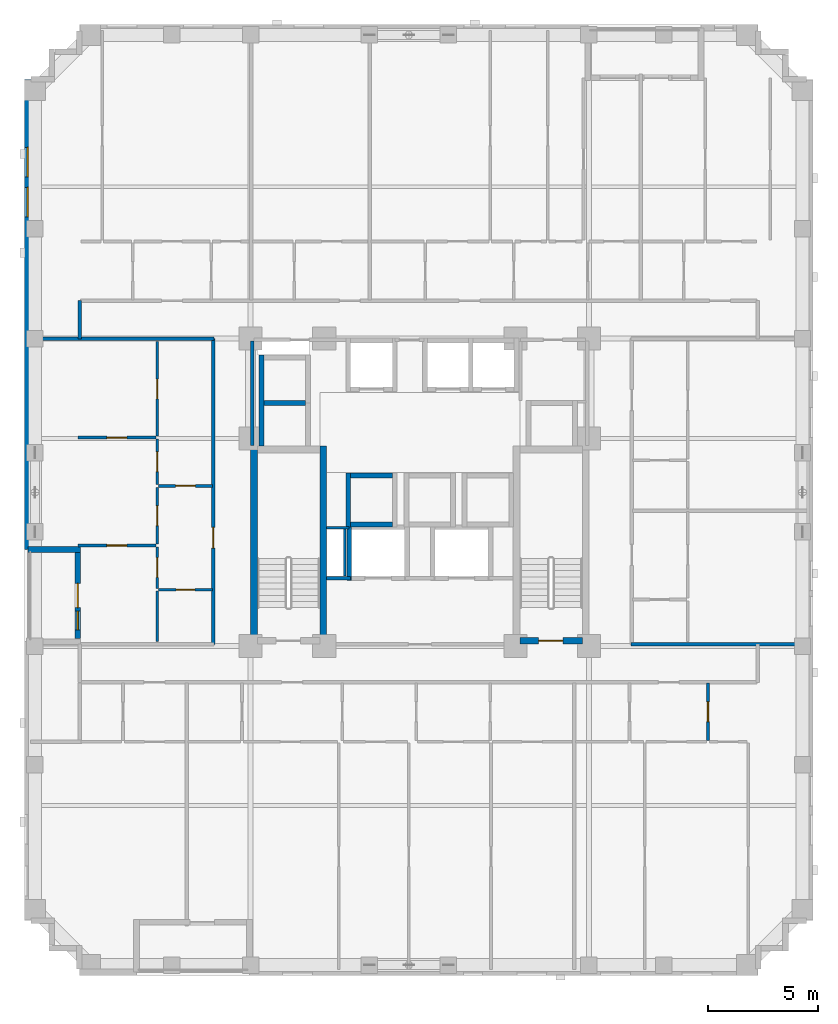
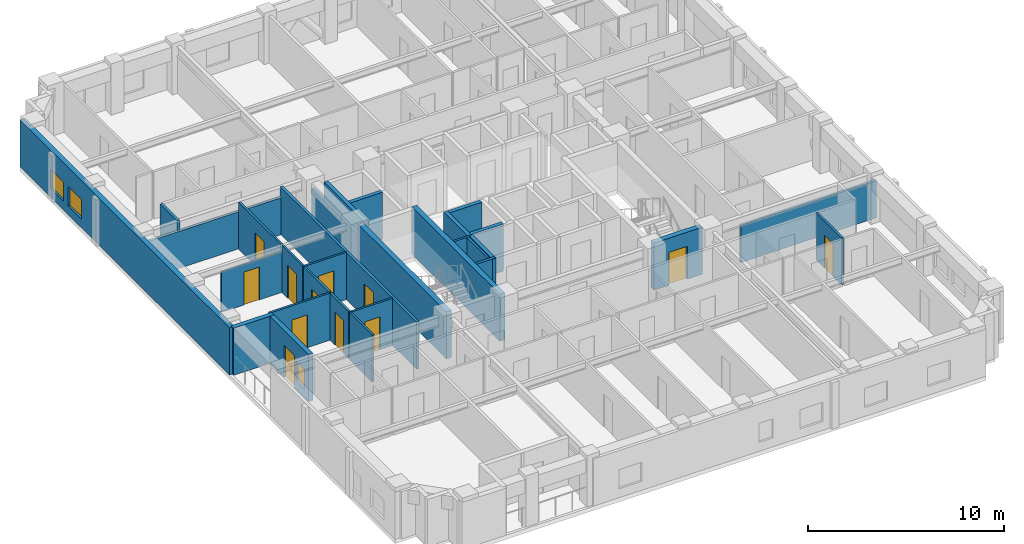
# One storey, part 4 of 12: 30 walls, 12 doors, 3 windows, 15 openings.
"""IFC4 building model written with IfcOpenShell, lengths in metres."""

from ifc_helpers import new_model, si_unit, derived_unit, direction, frame, frame_2d, origin, place, context, subcontext, project, spatial, rectangle, extrude, material, layer, layer_set, type_object, element, fill, save


model = new_model("IFC4")

# Units and contexts
model_context = context("Model", 3, precision=1e-05, world=origin(), true_north=direction((0.0, 1.0)))
body_context = subcontext(model_context, "Body", "Model", "MODEL_VIEW")
ifc_project = project(units=[si_unit("LENGTHUNIT", "METRE"), si_unit("AREAUNIT", "SQUARE_METRE"), si_unit("VOLUMEUNIT", "CUBIC_METRE"), si_unit("PLANEANGLEUNIT", "RADIAN"), si_unit("MASSUNIT", "GRAM", prefix="KILO"), derived_unit("THERMALTRANSMITTANCEUNIT", [(si_unit("MASSUNIT", "GRAM", prefix="KILO"), 1), (si_unit("TIMEUNIT", "SECOND"), -3), (si_unit("THERMODYNAMICTEMPERATUREUNIT", "KELVIN"), -1)])], contexts=[model_context])

# Site, building, storey
site_placement = place(None, origin())
site = spatial("IfcSite", under=ifc_project, at=site_placement, CompositionType="ELEMENT")
building_placement = place(site_placement, origin())
building = spatial("IfcBuilding", under=site, at=building_placement, Name="Korrvale Station Residences", CompositionType="ELEMENT")
storey_placement = place(building_placement, frame((0.0, 0.0, 107.10009765625)))
storey = spatial("IfcBuildingStorey", under=building, at=storey_placement, Name="L30", CompositionType="ELEMENT", Elevation=107.10009765625)

# Walls
ifc_material_1 = material(Name="Concrete C60/75", Category="concrete")
ifc_layer_1 = layer(ifc_material_1, 0.300048828125, Name="Concrete C60/75")
ifc_layer_set_1 = layer_set([ifc_layer_1], Name="Concrete C60/75")
wall_type_1 = type_object("IfcWallType", Name="WAL-CORE-300-C60", PredefinedType="SHEAR", material=ifc_layer_set_1)
for number, where, z_axis, x_axis, name in (
    (1, (17.949951171875, 15.10009765625, 0.0), (0.0, 0.0, 1.0), (0.0, 1.0, 0.0), "L30 ST-1 Core Shear Wall West"),
    (2, (21.10009765625, 15.10009765625, 0.0), (0.0, 0.0, 1.0), (0.0, 1.0, 0.0), "L30 ST-1 Core Shear Wall East"),
):
    element("IfcWall", number, at=place(storey_placement, frame(where, z_axis=z_axis, x_axis=x_axis)), inside=storey, type_object=wall_type_1, Name=name, PredefinedType="SHEAR", context=body_context, shape_type="SweptSolid", body=[
        extrude(rectangle(XDim=9.0, YDim=0.300048828125, at=frame_2d((4.5, 0.0))), origin(), (0.0, 0.0, 1.0), 2.93994140625),
    ])

# Wall, opening, door
wall_1_placement = place(storey_placement, frame((30.050048828125, 15.25, 0.0), z_axis=(0.0, 0.0, 1.0), x_axis=(1.0, 0.0, 0.0)))
wall_1 = element("IfcWall", 3, at=wall_1_placement, inside=storey, type_object=wall_type_1, Name="L30 ST-2 Core Shear Wall South", PredefinedType="SHEAR", context=body_context, shape_type="SweptSolid", body=[
    extrude(rectangle(XDim=2.849853515625, YDim=0.300048828125, at=frame_2d((1.4248046875, 0.0))), origin(), (0.0, 0.0, 1.0), 2.93994140625),
])
opening_1_placement = place(wall_1_placement, frame((0.860107421875, 0.0, 0.0)))
opening_1 = element("IfcOpeningElement", 4, at=opening_1_placement, cuts=wall_1, Name="Opening SD-1100", PredefinedType="OPENING", context=body_context, shape_type="SweptSolid", body=[
    extrude(rectangle(XDim=1.10009765625, YDim=2.050048828125, at=frame_2d((0.550048828125, 1.02490234375))), frame((0.0, 0.16015625, 0.0), z_axis=(0.0, -1.0, 0.0), x_axis=(1.0, 0.0, 0.0)), (0.0, 0.0, 1.0), 0.320068359375),
])
ifc_material_2 = material(Name="Hollow-metal fire-rated stair door with closer", Category="steel")
door_type_1 = type_object("IfcDoorType", Name="DR-STAIR-1100", OperationType="NOTDEFINED", PredefinedType="DOOR", material=ifc_material_2)
door_1_placement = place(opening_1_placement, origin())
door_1 = element("IfcDoor", 5, at=door_1_placement, inside=storey, type_object=door_type_1, Name="L30 ST-2 Exit Stair Door", OperationType="SINGLE_SWING_RIGHT", OverallHeight=2.050048828125, OverallWidth=1.10009765625, PredefinedType="DOOR", context=body_context, shape_type="SweptSolid", body=[
    extrude(rectangle(XDim=1.10009765625, YDim=2.050048828125, at=frame_2d((0.550048828125, 1.02490234375))), frame((0.0, 0.02490234375, 0.0), z_axis=(0.0, -1.0, 0.0), x_axis=(1.0, 0.0, 0.0)), (0.0, 0.0, 1.0), 0.050048828125),
])
fill(opening_1, door_1)

# Wall, openings, door, window
ifc_material_3 = material(Name="Precast concrete C45/55", Category="concrete")
ifc_layer_2 = layer(ifc_material_3, 0.260009765625, Name="Precast concrete C45/55")
ifc_layer_set_2 = layer_set([ifc_layer_2], Name="Precast concrete C45/55")
wall_type_2 = type_object("IfcWallType", Name="WAL-EXT-LOG260", PredefinedType="SOLIDWALL", material=ifc_layer_set_2)
wall_2_placement = place(storey_placement, frame((9.929931640625, 15.333984375, 0.0), z_axis=(0.0, 0.0, 1.0), x_axis=(0.0, 1.0, 0.0)))
wall_2 = element("IfcWall", 6, at=wall_2_placement, inside=storey, type_object=wall_type_2, Name="L30 Recessed Loggia Wall BAL-L30-W1-B", PredefinedType="SOLIDWALL", context=body_context, shape_type="SweptSolid", body=[
    extrude(rectangle(XDim=3.93212890625, YDim=0.260009765625, at=frame_2d((1.966064453125, 0.0))), origin(), (0.0, 0.0, 1.0), 2.93994140625),
])
opening_2_placement = place(wall_2_placement, frame((1.416015625, 0.0, 0.0)))
opening_2 = element("IfcOpeningElement", 7, at=opening_2_placement, cuts=wall_2, Name="Opening BD-01", PredefinedType="OPENING", context=body_context, shape_type="SweptSolid", body=[
    extrude(rectangle(XDim=1.10009765625, YDim=2.0, at=frame_2d((0.550048828125, 1.0))), frame((0.0, 0.14013671875, 0.0), z_axis=(0.0, -1.0, 0.0), x_axis=(1.0, 0.0, 0.0)), (0.0, 0.0, 1.0), 0.280029296875),
])
opening_3_placement = place(wall_2_placement, frame((0.406005859375, 0.0, 0.550048828125)))
opening_3 = element("IfcOpeningElement", 8, at=opening_3_placement, cuts=wall_2, Name="Opening W-11", PredefinedType="OPENING", context=body_context, shape_type="SweptSolid", body=[
    extrude(rectangle(XDim=0.85009765625, YDim=1.199951171875, at=frame_2d((0.425048828125, 0.60009765625))), frame((0.0, 0.14013671875, 0.0), z_axis=(0.0, -1.0, 0.0), x_axis=(1.0, 0.0, 0.0)), (0.0, 0.0, 1.0), 0.280029296875),
])
ifc_material_4 = material(Name="Exterior thermally broken aluminium glazed balcony door", Category="aluminium")
door_type_2 = type_object("IfcDoorType", Name="DR-EXT-BAL", OperationType="NOTDEFINED", PredefinedType="DOOR", material=ifc_material_4)
door_2_placement = place(opening_2_placement, origin())
door_2 = element("IfcDoor", 9, at=door_2_placement, inside=storey, type_object=door_type_2, Name="L30 Loggia Balcony Door BAL-L30-W1", OperationType="SINGLE_SWING_RIGHT", OverallHeight=2.0, OverallWidth=1.10009765625, PredefinedType="DOOR", context=body_context, shape_type="SweptSolid", body=[
    extrude(rectangle(XDim=1.10009765625, YDim=2.0, at=frame_2d((0.550048828125, 1.0))), frame((0.0, 0.02490234375, 0.0), z_axis=(0.0, -1.0, 0.0), x_axis=(1.0, 0.0, 0.0)), (0.0, 0.0, 1.0), 0.050048828125),
])
fill(opening_2, door_2)
ifc_material_5 = material(Name="Thermally broken aluminium frame with triple low-e glazing", Category="aluminium")
window_type_1 = type_object("IfcWindowType", Name="WIN-W11", PartitioningType="SINGLE_PANEL", PredefinedType="WINDOW", material=ifc_material_5)
window_1_placement = place(opening_3_placement, origin())
window_1 = element("IfcWindow", 10, at=window_1_placement, inside=storey, type_object=window_type_1, Name="L30 Punched Window 20", OverallHeight=1.199951171875, OverallWidth=0.85009765625, PartitioningType="SINGLE_PANEL", PredefinedType="WINDOW", context=body_context, shape_type="SweptSolid", body=[
    extrude(rectangle(XDim=0.85009765625, YDim=1.199951171875, at=frame_2d((0.425048828125, 0.60009765625))), frame((0.0, 0.030029296875, 0.0), z_axis=(0.0, -1.0, 0.0), x_axis=(1.0, 0.0, 0.0)), (0.0, 0.0, 1.0), 0.06005859375),
])
fill(opening_3, window_1)

# Wall
wall_3_placement = place(storey_placement, frame((10.06005859375, 19.39990234375, 0.0), z_axis=(0.0, 0.0, 1.0), x_axis=(-1.0, 0.0, 0.0)))
element("IfcWall", 11, at=wall_3_placement, inside=storey, type_object=wall_type_2, Name="L30 Recessed Loggia Wall BAL-L30-W1-R", PredefinedType="SOLIDWALL", context=body_context, shape_type="SweptSolid", body=[
    extrude(rectangle(XDim=2.400146484375, YDim=0.260009765625, at=frame_2d((1.2001953125, 0.0))), origin(), (0.0, 0.0, 1.0), 2.93994140625),
])

# Wall, openings, windows
ifc_layer_3 = layer(ifc_material_3, 0.300048828125, Name="Precast concrete C45/55")
ifc_layer_set_3 = layer_set([ifc_layer_3], Name="Precast concrete C45/55")
wall_type_3 = type_object("IfcWallType", Name="WAL-EXT-PC300", PredefinedType="SOLIDWALL", material=ifc_layer_set_3)
wall_4_placement = place(storey_placement, frame((7.64990234375, 19.39990234375, 0.0), z_axis=(0.0, 0.0, 1.0), x_axis=(0.0, 1.0, 0.0)))
wall_4 = element("IfcWall", 12, at=wall_4_placement, inside=storey, type_object=wall_type_3, Name="L30 West Exterior Precast Wall 2", PredefinedType="SOLIDWALL", context=body_context, shape_type="SweptSolid", body=[
    extrude(rectangle(XDim=21.400146484375, YDim=0.300048828125, at=frame_2d((10.7001953125, 0.0))), origin(), (0.0, 0.0, 1.0), 2.93994140625),
])
opening_4_placement = place(wall_4_placement, frame((16.95703125, 0.0, 0.550048828125)))
opening_4 = element("IfcOpeningElement", 13, at=opening_4_placement, cuts=wall_4, Name="Opening W-10", PredefinedType="OPENING", context=body_context, shape_type="SweptSolid", body=[
    extrude(rectangle(XDim=1.35009765625, YDim=1.199951171875, at=frame_2d((0.675048828125, 0.60009765625))), frame((0.0, 0.16015625, 0.0), z_axis=(0.0, -1.0, 0.0), x_axis=(1.0, 0.0, 0.0)), (0.0, 0.0, 1.0), 0.320068359375),
])
opening_5_placement = place(wall_4_placement, frame((15.135009765625, 0.0, 0.550048828125)))
opening_5 = element("IfcOpeningElement", 14, at=opening_5_placement, cuts=wall_4, Name="Opening W-10", PredefinedType="OPENING", context=body_context, shape_type="SweptSolid", body=[
    extrude(rectangle(XDim=1.35009765625, YDim=1.199951171875, at=frame_2d((0.675048828125, 0.60009765625))), frame((0.0, 0.16015625, 0.0), z_axis=(0.0, -1.0, 0.0), x_axis=(1.0, 0.0, 0.0)), (0.0, 0.0, 1.0), 0.320068359375),
])
window_type_2 = type_object("IfcWindowType", Name="WIN-W10", PartitioningType="SINGLE_PANEL", PredefinedType="WINDOW", material=ifc_material_5)
window_2_placement = place(opening_4_placement, origin())
window_2 = element("IfcWindow", 15, at=window_2_placement, inside=storey, type_object=window_type_2, Name="L30 Punched Window 10", OverallHeight=1.199951171875, OverallWidth=1.35009765625, PartitioningType="SINGLE_PANEL", PredefinedType="WINDOW", context=body_context, shape_type="SweptSolid", body=[
    extrude(rectangle(XDim=1.35009765625, YDim=1.199951171875, at=frame_2d((0.675048828125, 0.60009765625))), frame((0.0, 0.030029296875, 0.0), z_axis=(0.0, -1.0, 0.0), x_axis=(1.0, 0.0, 0.0)), (0.0, 0.0, 1.0), 0.06005859375),
])
fill(opening_4, window_2)
window_3_placement = place(opening_5_placement, origin())
window_3 = element("IfcWindow", 16, at=window_3_placement, inside=storey, type_object=window_type_2, Name="L30 Punched Window 11", OverallHeight=1.199951171875, OverallWidth=1.35009765625, PartitioningType="SINGLE_PANEL", PredefinedType="WINDOW", context=body_context, shape_type="SweptSolid", body=[
    extrude(rectangle(XDim=1.35009765625, YDim=1.199951171875, at=frame_2d((0.675048828125, 0.60009765625))), frame((0.0, 0.030029296875, 0.0), z_axis=(0.0, -1.0, 0.0), x_axis=(1.0, 0.0, 0.0)), (0.0, 0.0, 1.0), 0.06005859375),
])
fill(opening_5, window_3)

# Walls
ifc_material_6 = material(Name="Acoustic steel-stud gypsum board partition", Category="steel")
ifc_layer_4 = layer(ifc_material_6, 0.1201171875, Name="Acoustic steel-stud gypsum board partition")
ifc_layer_set_4 = layer_set([ifc_layer_4], Name="Acoustic steel-stud gypsum board partition")
wall_type_4 = type_object("IfcWallType", Name="WAL-PART-125", PredefinedType="PARTITIONING", material=ifc_layer_set_4)
wall_5_placement = place(storey_placement, frame((22.080078125, 18.199951171875, 0.0), z_axis=(0.0, 0.0, 1.0), x_axis=(0.0, 1.0, 0.0)))
element("IfcWall", 17, at=wall_5_placement, inside=storey, type_object=wall_type_4, Name="L30 Core Partition CW-RSWT", PredefinedType="PARTITIONING", context=body_context, shape_type="SweptSolid", body=[
    extrude(rectangle(XDim=2.1201171875, YDim=0.1201171875, at=frame_2d((1.06005859375, 0.0))), origin(), (0.0, 0.0, 1.0), 2.93994140625),
])
wall_6_placement = place(storey_placement, frame((22.280029296875, 20.3798828125, 0.0), z_axis=(0.0, 0.0, 1.0), x_axis=(-1.0, 0.0, 0.0)))
element("IfcWall", 18, at=wall_6_placement, inside=storey, type_object=wall_type_4, Name="L30 Core Partition CW-RSWT-N", PredefinedType="PARTITIONING", context=body_context, shape_type="SweptSolid", body=[
    extrude(rectangle(XDim=1.02001953125, YDim=0.1201171875, at=frame_2d((0.510009765625, 0.0))), origin(), (0.0, 0.0, 1.0), 2.93994140625),
])

# Wall, opening, door
wall_7_placement = place(storey_placement, frame((38.615966796875, 10.7099609375, 0.0), z_axis=(0.0, 0.0, 1.0), x_axis=(0.0, 1.0, 0.0)))
wall_7 = element("IfcWall", 19, at=wall_7_placement, inside=storey, type_object=wall_type_4, Name="L30 Suite Partition U03-V12", PredefinedType="PARTITIONING", context=body_context, shape_type="SweptSolid", body=[
    extrude(rectangle(XDim=2.60009765625, YDim=0.1201171875, at=frame_2d((1.300048828125, 0.0))), origin(), (0.0, 0.0, 1.0), 2.93994140625),
])
opening_6_placement = place(wall_7_placement, frame((0.85009765625, 0.0, 0.0)))
opening_6 = element("IfcOpeningElement", 20, at=opening_6_placement, cuts=wall_7, Name="Opening DI-900", PredefinedType="OPENING", context=body_context, shape_type="SweptSolid", body=[
    extrude(rectangle(XDim=0.89990234375, YDim=2.050048828125, at=frame_2d((0.449951171875, 1.02490234375))), frame((0.0, 0.070068359375, 0.0), z_axis=(0.0, -1.0, 0.0), x_axis=(1.0, 0.0, 0.0)), (0.0, 0.0, 1.0), 0.14013671875),
])
ifc_material_7 = material(Name="Painted solid-core timber interior room door", Category="wood")
door_type_3 = type_object("IfcDoorType", Name="DR-INT-900", OperationType="NOTDEFINED", PredefinedType="DOOR", material=ifc_material_7)
door_3_placement = place(opening_6_placement, origin())
door_3 = element("IfcDoor", 21, at=door_3_placement, inside=storey, type_object=door_type_3, Name="L30 Studio Apartment L30-U03 Kitchen Door", OperationType="SINGLE_SWING_RIGHT", OverallHeight=2.050048828125, OverallWidth=0.89990234375, PredefinedType="DOOR", context=body_context, shape_type="SweptSolid", body=[
    extrude(rectangle(XDim=0.89990234375, YDim=2.050048828125, at=frame_2d((0.449951171875, 1.02490234375))), frame((0.0, 0.02490234375, 0.0), z_axis=(0.0, -1.0, 0.0), x_axis=(1.0, 0.0, 0.0)), (0.0, 0.0, 1.0), 0.050048828125),
])
fill(opening_6, door_3)

wall_8_placement = place(storey_placement, frame((13.610107421875, 22.2900390625, 0.0), z_axis=(0.0, 0.0, 1.0), x_axis=(1.0, 0.0, 0.0)))
wall_8 = element("IfcWall", 22, at=wall_8_placement, inside=storey, type_object=wall_type_4, Name="L30 Suite Partition U08-H02", PredefinedType="PARTITIONING", context=body_context, shape_type="SweptSolid", body=[
    extrude(rectangle(XDim=2.449951171875, YDim=0.1201171875, at=frame_2d((1.22509765625, 0.0))), origin(), (0.0, 0.0, 1.0), 2.93994140625),
])
opening_7_placement = place(wall_8_placement, frame((0.77490234375, 0.0, 0.0)))
opening_7 = element("IfcOpeningElement", 23, at=opening_7_placement, cuts=wall_8, Name="Opening DI-900", PredefinedType="OPENING", context=body_context, shape_type="SweptSolid", body=[
    extrude(rectangle(XDim=0.89990234375, YDim=2.050048828125, at=frame_2d((0.449951171875, 1.02490234375))), frame((0.0, 0.070068359375, 0.0), z_axis=(0.0, -1.0, 0.0), x_axis=(1.0, 0.0, 0.0)), (0.0, 0.0, 1.0), 0.14013671875),
])
door_4_placement = place(opening_7_placement, origin())
door_4 = element("IfcDoor", 24, at=door_4_placement, inside=storey, type_object=door_type_3, Name="L30 Apartment 2BR L30-U08 Wardrobe Storage Room Door", OperationType="SINGLE_SWING_RIGHT", OverallHeight=2.050048828125, OverallWidth=0.89990234375, PredefinedType="DOOR", context=body_context, shape_type="SweptSolid", body=[
    extrude(rectangle(XDim=0.89990234375, YDim=2.050048828125, at=frame_2d((0.449951171875, 1.02490234375))), frame((0.0, 0.02490234375, 0.0), z_axis=(0.0, -1.0, 0.0), x_axis=(1.0, 0.0, 0.0)), (0.0, 0.0, 1.0), 0.050048828125),
])
fill(opening_7, door_4)

wall_9_placement = place(storey_placement, frame((13.550048828125, 22.35009765625, 0.0), z_axis=(0.0, 0.0, 1.0), x_axis=(0.0, 1.0, 0.0)))
wall_9 = element("IfcWall", 25, at=wall_9_placement, inside=storey, type_object=wall_type_4, Name="L30 Suite Partition U08-V04", PredefinedType="PARTITIONING", context=body_context, shape_type="SweptSolid", body=[
    extrude(rectangle(XDim=2.081787109375, YDim=0.1201171875, at=frame_2d((1.041015625, 0.0))), origin(), (0.0, 0.0, 1.0), 2.93994140625),
])
opening_8_placement = place(wall_9_placement, frame((0.591064453125, 0.0, 0.0)))
opening_8 = element("IfcOpeningElement", 26, at=opening_8_placement, cuts=wall_9, Name="Opening DI-900", PredefinedType="OPENING", context=body_context, shape_type="SweptSolid", body=[
    extrude(rectangle(XDim=0.89990234375, YDim=2.050048828125, at=frame_2d((0.449951171875, 1.02490234375))), frame((0.0, 0.070068359375, 0.0), z_axis=(0.0, -1.0, 0.0), x_axis=(1.0, 0.0, 0.0)), (0.0, 0.0, 1.0), 0.14013671875),
])
door_5_placement = place(opening_8_placement, origin())
door_5 = element("IfcDoor", 27, at=door_5_placement, inside=storey, type_object=door_type_3, Name="L30 Apartment 2BR L30-U08 Wardrobe Storage Room Door", OperationType="SINGLE_SWING_LEFT", OverallHeight=2.050048828125, OverallWidth=0.89990234375, PredefinedType="DOOR", context=body_context, shape_type="SweptSolid", body=[
    extrude(rectangle(XDim=0.89990234375, YDim=2.050048828125, at=frame_2d((0.449951171875, 1.02490234375))), frame((0.0, 0.02490234375, 0.0), z_axis=(0.0, -1.0, 0.0), x_axis=(1.0, 0.0, 0.0)), (0.0, 0.0, 1.0), 0.050048828125),
])
fill(opening_8, door_5)

wall_10_placement = place(storey_placement, frame((13.550048828125, 24.552001953125, 0.0), z_axis=(0.0, 0.0, 1.0), x_axis=(0.0, 1.0, 0.0)))
wall_10 = element("IfcWall", 28, at=wall_10_placement, inside=storey, type_object=wall_type_4, Name="L30 Suite Partition U08-V05", PredefinedType="PARTITIONING", context=body_context, shape_type="SweptSolid", body=[
    extrude(rectangle(XDim=4.30810546875, YDim=0.1201171875, at=frame_2d((2.154052734375, 0.0))), origin(), (0.0, 0.0, 1.0), 2.93994140625),
])
opening_9_placement = place(wall_10_placement, frame((1.7041015625, 0.0, 0.0)))
opening_9 = element("IfcOpeningElement", 29, at=opening_9_placement, cuts=wall_10, Name="Opening DI-900", PredefinedType="OPENING", context=body_context, shape_type="SweptSolid", body=[
    extrude(rectangle(XDim=0.89990234375, YDim=2.050048828125, at=frame_2d((0.449951171875, 1.02490234375))), frame((0.0, 0.070068359375, 0.0), z_axis=(0.0, -1.0, 0.0), x_axis=(1.0, 0.0, 0.0)), (0.0, 0.0, 1.0), 0.14013671875),
])
door_6_placement = place(opening_9_placement, origin())
door_6 = element("IfcDoor", 30, at=door_6_placement, inside=storey, type_object=door_type_3, Name="L30 Apartment 2BR L30-U08 Wardrobe Storage Room Door", OperationType="SINGLE_SWING_RIGHT", OverallHeight=2.050048828125, OverallWidth=0.89990234375, PredefinedType="DOOR", context=body_context, shape_type="SweptSolid", body=[
    extrude(rectangle(XDim=0.89990234375, YDim=2.050048828125, at=frame_2d((0.449951171875, 1.02490234375))), frame((0.0, 0.02490234375, 0.0), z_axis=(0.0, -1.0, 0.0), x_axis=(1.0, 0.0, 0.0)), (0.0, 0.0, 1.0), 0.050048828125),
])
fill(opening_9, door_6)

wall_11_placement = place(storey_placement, frame((13.610107421875, 17.570068359375, 0.0), z_axis=(0.0, 0.0, 1.0), x_axis=(1.0, 0.0, 0.0)))
wall_11 = element("IfcWall", 31, at=wall_11_placement, inside=storey, type_object=wall_type_4, Name="L30 Suite Partition U08-H12", PredefinedType="PARTITIONING", context=body_context, shape_type="SweptSolid", body=[
    extrude(rectangle(XDim=2.449951171875, YDim=0.1201171875, at=frame_2d((1.22509765625, 0.0))), origin(), (0.0, 0.0, 1.0), 2.93994140625),
])
opening_10_placement = place(wall_11_placement, frame((0.794921875, 0.0, 0.0)))
opening_10 = element("IfcOpeningElement", 32, at=opening_10_placement, cuts=wall_11, Name="Opening DB-860", PredefinedType="OPENING", context=body_context, shape_type="SweptSolid", body=[
    extrude(rectangle(XDim=0.860107421875, YDim=2.050048828125, at=frame_2d((0.43017578125, 1.02490234375))), frame((0.0, 0.070068359375, 0.0), z_axis=(0.0, -1.0, 0.0), x_axis=(1.0, 0.0, 0.0)), (0.0, 0.0, 1.0), 0.14013671875),
])
ifc_material_8 = material(Name="Moisture-resistant solid-core bathroom door", Category="timber")
door_type_4 = type_object("IfcDoorType", Name="DR-BATH-860", OperationType="NOTDEFINED", PredefinedType="DOOR", material=ifc_material_8)
door_7_placement = place(opening_10_placement, origin())
door_7 = element("IfcDoor", 33, at=door_7_placement, inside=storey, type_object=door_type_4, Name="L30 Apartment 2BR L30-U08 Bathroom Door", OperationType="SINGLE_SWING_LEFT", OverallHeight=2.050048828125, OverallWidth=0.860107421875, PredefinedType="DOOR", context=body_context, shape_type="SweptSolid", body=[
    extrude(rectangle(XDim=0.860107421875, YDim=2.050048828125, at=frame_2d((0.43017578125, 1.02490234375))), frame((0.0, 0.02490234375, 0.0), z_axis=(0.0, -1.0, 0.0), x_axis=(1.0, 0.0, 0.0)), (0.0, 0.0, 1.0), 0.050048828125),
])
fill(opening_10, door_7)

# Wall
wall_12_placement = place(storey_placement, frame((13.550048828125, 15.2099609375, 0.0), z_axis=(0.0, 0.0, 1.0), x_axis=(0.0, 1.0, 0.0)))
element("IfcWall", 34, at=wall_12_placement, inside=storey, type_object=wall_type_4, Name="L30 Suite Partition U08-V13", PredefinedType="PARTITIONING", context=body_context, shape_type="SweptSolid", body=[
    extrude(rectangle(XDim=2.300048828125, YDim=0.1201171875, at=frame_2d((1.14990234375, 0.0))), origin(), (0.0, 0.0, 1.0), 2.93994140625),
])

# Wall, opening, door
wall_13_placement = place(storey_placement, frame((13.550048828125, 17.6298828125, 0.0), z_axis=(0.0, 0.0, 1.0), x_axis=(0.0, 1.0, 0.0)))
wall_13 = element("IfcWall", 35, at=wall_13_placement, inside=storey, type_object=wall_type_4, Name="L30 Suite Partition U08-V23", PredefinedType="PARTITIONING", context=body_context, shape_type="SweptSolid", body=[
    extrude(rectangle(XDim=1.88818359375, YDim=0.1201171875, at=frame_2d((0.944091796875, 0.0))), origin(), (0.0, 0.0, 1.0), 2.93994140625),
])
opening_11_placement = place(wall_13_placement, frame((0.493896484375, 0.0, 0.0)))
opening_11 = element("IfcOpeningElement", 36, at=opening_11_placement, cuts=wall_13, Name="Opening DI-900", PredefinedType="OPENING", context=body_context, shape_type="SweptSolid", body=[
    extrude(rectangle(XDim=0.89990234375, YDim=2.050048828125, at=frame_2d((0.449951171875, 1.02490234375))), frame((0.0, 0.070068359375, 0.0), z_axis=(0.0, -1.0, 0.0), x_axis=(1.0, 0.0, 0.0)), (0.0, 0.0, 1.0), 0.14013671875),
])
door_8_placement = place(opening_11_placement, origin())
door_8 = element("IfcDoor", 37, at=door_8_placement, inside=storey, type_object=door_type_3, Name="L30 Apartment 2BR L30-U08 Kitchen Door", OperationType="SINGLE_SWING_RIGHT", OverallHeight=2.050048828125, OverallWidth=0.89990234375, PredefinedType="DOOR", context=body_context, shape_type="SweptSolid", body=[
    extrude(rectangle(XDim=0.89990234375, YDim=2.050048828125, at=frame_2d((0.449951171875, 1.02490234375))), frame((0.0, 0.02490234375, 0.0), z_axis=(0.0, -1.0, 0.0), x_axis=(1.0, 0.0, 0.0)), (0.0, 0.0, 1.0), 0.050048828125),
])
fill(opening_11, door_8)

wall_14_placement = place(storey_placement, frame((13.550048828125, 19.637939453125, 0.0), z_axis=(0.0, 0.0, 1.0), x_axis=(0.0, 1.0, 0.0)))
wall_14 = element("IfcWall", 38, at=wall_14_placement, inside=storey, type_object=wall_type_4, Name="L30 Suite Partition U08-V24", PredefinedType="PARTITIONING", context=body_context, shape_type="SweptSolid", body=[
    extrude(rectangle(XDim=2.592041015625, YDim=0.1201171875, at=frame_2d((1.2958984375, 0.0))), origin(), (0.0, 0.0, 1.0), 2.93994140625),
])
opening_12_placement = place(wall_14_placement, frame((0.845947265625, 0.0, 0.0)))
opening_12 = element("IfcOpeningElement", 39, at=opening_12_placement, cuts=wall_14, Name="Opening DI-900", PredefinedType="OPENING", context=body_context, shape_type="SweptSolid", body=[
    extrude(rectangle(XDim=0.89990234375, YDim=2.050048828125, at=frame_2d((0.449951171875, 1.02490234375))), frame((0.0, 0.070068359375, 0.0), z_axis=(0.0, -1.0, 0.0), x_axis=(1.0, 0.0, 0.0)), (0.0, 0.0, 1.0), 0.14013671875),
])
door_9_placement = place(opening_12_placement, origin())
door_9 = element("IfcDoor", 40, at=door_9_placement, inside=storey, type_object=door_type_3, Name="L30 Apartment 2BR L30-U08 Kitchen Door", OperationType="SINGLE_SWING_LEFT", OverallHeight=2.050048828125, OverallWidth=0.89990234375, PredefinedType="DOOR", context=body_context, shape_type="SweptSolid", body=[
    extrude(rectangle(XDim=0.89990234375, YDim=2.050048828125, at=frame_2d((0.449951171875, 1.02490234375))), frame((0.0, 0.02490234375, 0.0), z_axis=(0.0, -1.0, 0.0), x_axis=(1.0, 0.0, 0.0)), (0.0, 0.0, 1.0), 0.050048828125),
])
fill(opening_12, door_9)

wall_15_placement = place(storey_placement, frame((9.929931640625, 19.577880859375, 0.0), z_axis=(0.0, 0.0, 1.0), x_axis=(1.0, 0.0, 0.0)))
wall_15 = element("IfcWall", 41, at=wall_15_placement, inside=storey, type_object=wall_type_4, Name="L30 Suite Partition U08-H34", PredefinedType="PARTITIONING", context=body_context, shape_type="SweptSolid", body=[
    extrude(rectangle(XDim=3.56005859375, YDim=0.1201171875, at=frame_2d((1.780029296875, 0.0))), origin(), (0.0, 0.0, 1.0), 2.93994140625),
])
opening_13_placement = place(wall_15_placement, frame((1.330078125, 0.0, 0.0)))
opening_13 = element("IfcOpeningElement", 42, at=opening_13_placement, cuts=wall_15, Name="Opening DI-900", PredefinedType="OPENING", context=body_context, shape_type="SweptSolid", body=[
    extrude(rectangle(XDim=0.89990234375, YDim=2.050048828125, at=frame_2d((0.449951171875, 1.02490234375))), frame((0.0, 0.070068359375, 0.0), z_axis=(0.0, -1.0, 0.0), x_axis=(1.0, 0.0, 0.0)), (0.0, 0.0, 1.0), 0.14013671875),
])
door_10_placement = place(opening_13_placement, origin())
door_10 = element("IfcDoor", 43, at=door_10_placement, inside=storey, type_object=door_type_3, Name="L30 Apartment 2BR L30-U08 Bedroom 1 Door", OperationType="SINGLE_SWING_RIGHT", OverallHeight=2.050048828125, OverallWidth=0.89990234375, PredefinedType="DOOR", context=body_context, shape_type="SweptSolid", body=[
    extrude(rectangle(XDim=0.89990234375, YDim=2.050048828125, at=frame_2d((0.449951171875, 1.02490234375))), frame((0.0, 0.02490234375, 0.0), z_axis=(0.0, -1.0, 0.0), x_axis=(1.0, 0.0, 0.0)), (0.0, 0.0, 1.0), 0.050048828125),
])
fill(opening_13, door_10)

wall_16_placement = place(storey_placement, frame((9.929931640625, 24.491943359375, 0.0), z_axis=(0.0, 0.0, 1.0), x_axis=(1.0, 0.0, 0.0)))
wall_16 = element("IfcWall", 44, at=wall_16_placement, inside=storey, type_object=wall_type_4, Name="L30 Suite Partition U08-H45", PredefinedType="PARTITIONING", context=body_context, shape_type="SweptSolid", body=[
    extrude(rectangle(XDim=3.56005859375, YDim=0.1201171875, at=frame_2d((1.780029296875, 0.0))), origin(), (0.0, 0.0, 1.0), 2.517822265625),
])
opening_14_placement = place(wall_16_placement, frame((1.330078125, 0.0, 0.0)))
opening_14 = element("IfcOpeningElement", 45, at=opening_14_placement, cuts=wall_16, Name="Opening DI-900", PredefinedType="OPENING", context=body_context, shape_type="SweptSolid", body=[
    extrude(rectangle(XDim=0.89990234375, YDim=2.050048828125, at=frame_2d((0.449951171875, 1.02490234375))), frame((0.0, 0.070068359375, 0.0), z_axis=(0.0, -1.0, 0.0), x_axis=(1.0, 0.0, 0.0)), (0.0, 0.0, 1.0), 0.14013671875),
])
door_11_placement = place(opening_14_placement, origin())
door_11 = element("IfcDoor", 46, at=door_11_placement, inside=storey, type_object=door_type_3, Name="L30 Apartment 2BR L30-U08 Living and Dining Room Door", OperationType="SINGLE_SWING_LEFT", OverallHeight=2.050048828125, OverallWidth=0.89990234375, PredefinedType="DOOR", context=body_context, shape_type="SweptSolid", body=[
    extrude(rectangle(XDim=0.89990234375, YDim=2.050048828125, at=frame_2d((0.449951171875, 1.02490234375))), frame((0.0, 0.02490234375, 0.0), z_axis=(0.0, -1.0, 0.0), x_axis=(1.0, 0.0, 0.0)), (0.0, 0.0, 1.0), 0.050048828125),
])
fill(opening_14, door_11)

# Walls
ifc_material_9 = material(Name="Fire-rated twin-stud gypsum and mineral wool shaftwall assembly", Category="gypsum")
ifc_layer_5 = layer(ifc_material_9, 0.159912109375, Name="Fire-rated twin-stud gypsum and mineral wool shaftwall assembly")
ifc_layer_set_5 = layer_set([ifc_layer_5], Name="Fire-rated twin-stud gypsum and mineral wool shaftwall assembly")
wall_type_5 = type_object("IfcWallType", Name="WAL-PART-200", PredefinedType="PARTITIONING", material=ifc_layer_set_5)
wall_17_placement = place(storey_placement, frame((21.25, 18.080078125, 0.0), z_axis=(0.0, 0.0, 1.0), x_axis=(1.0, 0.0, 0.0)))
element("IfcWall", 47, at=wall_17_placement, inside=storey, type_object=wall_type_5, Name="L30 Core Partition CW-FFL-N1", PredefinedType="PARTITIONING", context=body_context, shape_type="SweptSolid", body=[
    extrude(rectangle(XDim=1.10009765625, YDim=0.159912109375, at=frame_2d((0.550048828125, 0.0))), origin(), (0.0, 0.0, 1.0), 2.93994140625),
])
wall_18_placement = place(storey_placement, frame((17.8798828125, 24.1201171875, 0.0), z_axis=(0.0, 0.0, 1.0), x_axis=(0.0, 1.0, 0.0)))
element("IfcWall", 48, at=wall_18_placement, inside=storey, type_object=wall_type_5, Name="L30 Core Partition CW-W-N", PredefinedType="PARTITIONING", context=body_context, shape_type="SweptSolid", body=[
    extrude(rectangle(XDim=4.759765625, YDim=0.159912109375, at=frame_2d((2.3798828125, 0.0))), origin(), (0.0, 0.0, 1.0), 2.27490234375),
])
wall_19_placement = place(storey_placement, frame((10.02001953125, 28.97998046875, 0.0), z_axis=(0.0, 0.0, 1.0), x_axis=(0.0, 1.0, 0.0)))
element("IfcWall", 49, at=wall_19_placement, inside=storey, type_object=wall_type_5, Name="L30 Corridor North West Cap", PredefinedType="PARTITIONING", context=body_context, shape_type="SweptSolid", body=[
    extrude(rectangle(XDim=1.739990234375, YDim=0.159912109375, at=frame_2d((0.8701171875, 0.0))), origin(), (0.0, 0.0, 1.0), 2.93994140625),
])
wall_20_placement = place(storey_placement, frame((7.780029296875, 28.97998046875, 0.0), z_axis=(0.0, 0.0, 1.0), x_axis=(1.0, 0.0, 0.0)))
element("IfcWall", 50, at=wall_20_placement, inside=storey, type_object=wall_type_5, Name="L30 West Wing North Corridor Wall", PredefinedType="PARTITIONING", context=body_context, shape_type="SweptSolid", body=[
    extrude(rectangle(XDim=8.35986328125, YDim=0.159912109375, at=frame_2d((4.179931640625, 0.0))), origin(), (0.0, 0.0, 1.0), 2.31298828125),
])
wall_21_placement = place(storey_placement, frame((35.110107421875, 15.090087890625, 0.0), z_axis=(0.0, 0.0, 1.0), x_axis=(1.0, 0.0, 0.0)))
element("IfcWall", 51, at=wall_21_placement, inside=storey, type_object=wall_type_5, Name="L30 East Wing South Corridor Wall", PredefinedType="PARTITIONING", context=body_context, shape_type="SweptSolid", body=[
    extrude(rectangle(XDim=8.010009765625, YDim=0.159912109375, at=frame_2d((4.0048828125, 0.0))), origin(), (0.0, 0.0, 1.0), 2.31298828125),
])

# Wall, opening, door
wall_22_placement = place(storey_placement, frame((16.10009765625, 15.070068359375, 0.0), z_axis=(0.0, 0.0, 1.0), x_axis=(0.0, 1.0, 0.0)))
wall_22 = element("IfcWall", 52, at=wall_22_placement, inside=storey, type_object=wall_type_5, Name="L30 Rated Corridor Wall W", PredefinedType="PARTITIONING", context=body_context, shape_type="SweptSolid", body=[
    extrude(rectangle(XDim=13.929931640625, YDim=0.159912109375, at=frame_2d((6.96484375, 0.0))), origin(), (0.0, 0.0, 1.0), 2.93994140625),
])
opening_15_placement = place(wall_22_placement, frame((4.385009765625, 0.0, 0.0)))
opening_15 = element("IfcOpeningElement", 53, at=opening_15_placement, cuts=wall_22, Name="Opening UD-950", PredefinedType="OPENING", context=body_context, shape_type="SweptSolid", body=[
    extrude(rectangle(XDim=0.949951171875, YDim=2.10009765625, at=frame_2d((0.47509765625, 1.050048828125))), frame((0.0, 0.08984375, 0.0), z_axis=(0.0, -1.0, 0.0), x_axis=(1.0, 0.0, 0.0)), (0.0, 0.0, 1.0), 0.179931640625),
])
ifc_material_10 = material(Name="Solid-core acoustic oak apartment entrance door", Category="timber")
door_type_5 = type_object("IfcDoorType", Name="DR-UNIT-950", OperationType="NOTDEFINED", PredefinedType="DOOR", material=ifc_material_10)
door_12_placement = place(opening_15_placement, origin())
door_12 = element("IfcDoor", 54, at=door_12_placement, inside=storey, type_object=door_type_5, Name="L30 Apartment L30-U08 Entrance Door", OperationType="SINGLE_SWING_LEFT", OverallHeight=2.10009765625, OverallWidth=0.949951171875, PredefinedType="DOOR", context=body_context, shape_type="SweptSolid", body=[
    extrude(rectangle(XDim=0.949951171875, YDim=2.10009765625, at=frame_2d((0.47509765625, 1.050048828125))), frame((0.0, 0.02490234375, 0.0), z_axis=(0.0, -1.0, 0.0), x_axis=(1.0, 0.0, 0.0)), (0.0, 0.0, 1.0), 0.050048828125),
])
fill(opening_15, door_12)

# Walls
ifc_layer_6 = layer(ifc_material_1, 0.219970703125, Name="Concrete C60/75")
ifc_layer_set_6 = layer_set([ifc_layer_6], Name="Concrete C60/75")
wall_type_6 = type_object("IfcWallType", Name="WAL-SHAFT-220-C60", PredefinedType="SHEAR", material=ifc_layer_set_6)
for number, where, z_axis, x_axis, name in (
    (55, (22.35009765625, 20.5400390625, 0.0), (0.0, 0.0, 1.0), (1.0, 0.0, 0.0), "L30 Elevator PM-1 Hoistway Wall South"),
    (56, (22.35009765625, 22.760009765625, 0.0), (0.0, 0.0, 1.0), (1.0, 0.0, 0.0), "L30 Elevator PM-1 Hoistway Wall North"),
):
    element("IfcWall", number, at=place(storey_placement, frame(where, z_axis=z_axis, x_axis=x_axis)), inside=storey, type_object=wall_type_6, Name=name, PredefinedType="SHEAR", context=body_context, shape_type="SweptSolid", body=[
        extrude(rectangle(XDim=1.89990234375, YDim=0.219970703125, at=frame_2d((0.949951171875, 0.0))), origin(), (0.0, 0.0, 1.0), 2.93994140625),
    ])
wall_23_placement = place(storey_placement, frame((22.239990234375, 20.429931640625, 0.0), z_axis=(0.0, 0.0, 1.0), x_axis=(0.0, 1.0, 0.0)))
element("IfcWall", 57, at=wall_23_placement, inside=storey, type_object=wall_type_6, Name="L30 Elevator PM-1 Hoistway Wall West", PredefinedType="SHEAR", context=body_context, shape_type="SweptSolid", body=[
    extrude(rectangle(XDim=2.440185546875, YDim=0.219970703125, at=frame_2d((1.22021484375, 0.0))), origin(), (0.0, 0.0, 1.0), 2.93994140625),
])
wall_24_placement = place(storey_placement, frame((18.2900390625, 24.10009765625, 0.0), z_axis=(0.0, 0.0, 1.0), x_axis=(0.0, 1.0, 0.0)))
element("IfcWall", 58, at=wall_24_placement, inside=storey, type_object=wall_type_6, Name="L30 Elevator PH-1 Hoistway Wall West", PredefinedType="SHEAR", context=body_context, shape_type="SweptSolid", body=[
    extrude(rectangle(XDim=4.139892578125, YDim=0.219970703125, at=frame_2d((2.06982421875, 0.0))), origin(), (0.0, 0.0, 1.0), 2.93994140625),
])
wall_25_placement = place(storey_placement, frame((18.39990234375, 26.06005859375, 0.0), z_axis=(0.0, 0.0, 1.0), x_axis=(1.0, 0.0, 0.0)))
element("IfcWall", 59, at=wall_25_placement, inside=storey, type_object=wall_type_6, Name="L30 Elevator PH-2 Hoistway Wall South", PredefinedType="SHEAR", context=body_context, shape_type="SweptSolid", body=[
    extrude(rectangle(XDim=1.900146484375, YDim=0.219970703125, at=frame_2d((0.9501953125, 0.0))), origin(), (0.0, 0.0, 1.0), 2.93994140625),
])
wall_26_placement = place(storey_placement, frame((22.2900390625, 17.97998046875, 0.0), z_axis=(0.0, 0.0, 1.0), x_axis=(0.0, 1.0, 0.0)))
element("IfcWall", 60, at=wall_26_placement, inside=storey, type_object=wall_type_6, Name="L30 Elevator FFL-1 Hoistway Wall West", PredefinedType="SHEAR", context=body_context, shape_type="SweptSolid", body=[
    extrude(rectangle(XDim=2.5400390625, YDim=0.219970703125, at=frame_2d((1.27001953125, 0.0))), origin(), (0.0, 0.0, 1.0), 2.93994140625),
])

save(model, "model.ifc")
